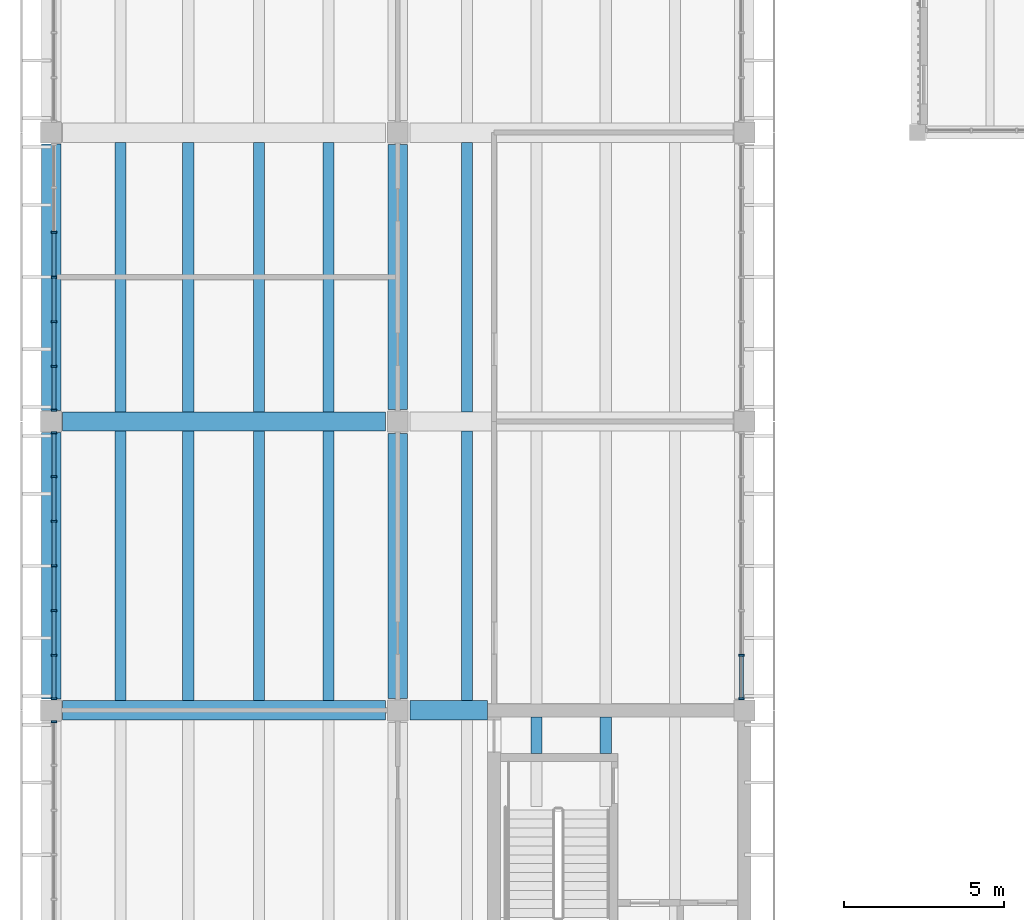
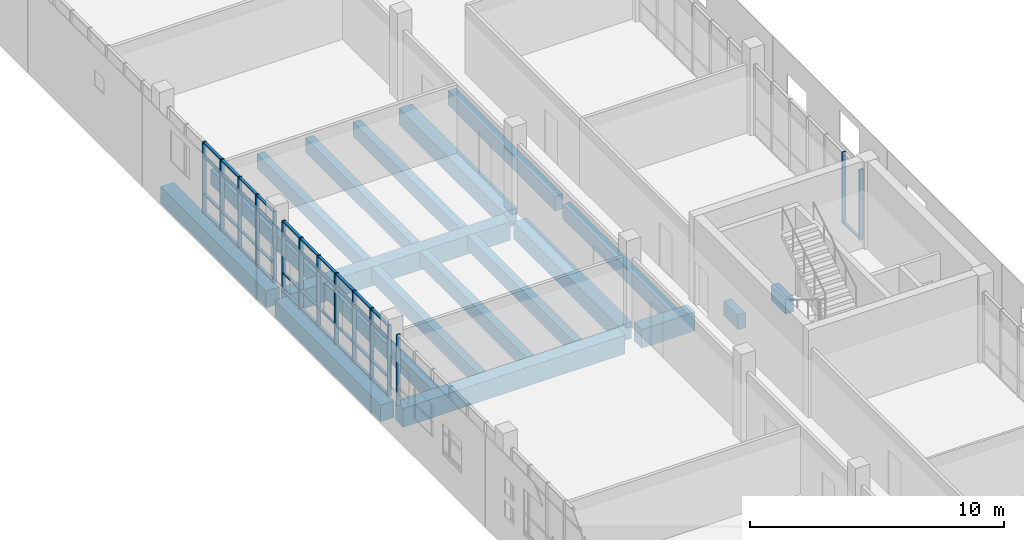
# One storey, part 18 of 92: 56 members, 19 beams, 4 elements without a shape of their own.
"""IFC4 building model written with IfcOpenShell, lengths in metres."""

from ifc_helpers import new_model, si_unit, direction, frame, origin, origin_2d, place, context, subcontext, project, spatial, rectangle, extrude, material, material_profile, profile_set, type_object, element, aggregate, save


model = new_model("IFC4")

# Units and contexts
model_context = context("Model", 3, precision=1e-05, world=origin(), true_north=direction((0.0, 1.0)))
body_context = subcontext(model_context, "Body", "Model", "MODEL_VIEW")
ifc_project = project(units=[si_unit("LENGTHUNIT", "METRE"), si_unit("AREAUNIT", "SQUARE_METRE"), si_unit("VOLUMEUNIT", "CUBIC_METRE"), si_unit("PLANEANGLEUNIT", "RADIAN"), si_unit("MASSUNIT", "GRAM", prefix="KILO")], contexts=[model_context])

# Site, building, storey
site_placement = place(None, origin())
site = spatial("IfcSite", under=ifc_project, at=site_placement, CompositionType="ELEMENT")
building_placement = place(site_placement, origin())
building = spatial("IfcBuilding", under=site, at=building_placement, Name="Merrow Basin Faculty of Sciences", CompositionType="ELEMENT")
storey_placement = place(building_placement, frame((0.0, 0.0, 4.5)))
storey = spatial("IfcBuildingStorey", under=building, at=storey_placement, Name="L01", CompositionType="ELEMENT", Elevation=4.5)

# Curtain wall, member
ifc_material_1 = material(Name="Aluminium alloy 6063", Category="aluminium")
curtain_wall_type = type_object("IfcCurtainWallType", Name="Bar unitised curtain wall 180", PredefinedType="NOTDEFINED", material=ifc_material_1)
curtain_wall_1_placement = place(storey_placement, origin())
curtain_wall_1 = element("IfcCurtainWall", 1, at=curtain_wall_1_placement, inside=storey, type_object=curtain_wall_type, Name="West curtain wall L01 3", PredefinedType="NOTDEFINED")
ifc_material_2 = material(Name="Aluminium alloy 6063", Category="aluminium")
ifc_material_profile_1 = material_profile(ifc_material_2, rectangle(XDim=0.179931640625, YDim=0.06005859375, at=origin_2d()))
ifc_profile_set_1 = profile_set([ifc_material_profile_1], Name="Aluminium alloy 6063")
member_type_1 = type_object("IfcMemberType", Name="Aluminium mullion 60x180", PredefinedType="MULLION", material=ifc_profile_set_1)
member_1_placement = place(storey_placement, frame((0.090087890625, 96.64501953125, 0.0), z_axis=(0.0, 0.0, 1.0), x_axis=(-1.0, 0.0, 0.0)))
member_1 = element("IfcMember", 2, at=member_1_placement, type_object=member_type_1, Name="CW1 mullion 7", PredefinedType="MULLION", context=body_context, shape_type="SweptSolid", body=[
    extrude(rectangle(XDim=0.179931640625, YDim=0.06005859375, at=origin_2d()), origin(), (0.0, 0.0, 1.0), 3.39990234375),
])
aggregate(curtain_wall_1, [member_1])

# Curtain wall, members
curtain_wall_2_placement = place(storey_placement, origin())
curtain_wall_2 = element("IfcCurtainWall", 3, at=curtain_wall_2_placement, inside=storey, type_object=curtain_wall_type, Name="West curtain wall L01 4", PredefinedType="NOTDEFINED")
member_2_placement = place(storey_placement, frame((0.090087890625, 97.35498046875, 0.0), z_axis=(0.0, 0.0, 1.0), x_axis=(-1.0, 0.0, 0.0)))
member_2 = element("IfcMember", 4, at=member_2_placement, type_object=member_type_1, Name="CW1 mullion 1", PredefinedType="MULLION", context=body_context, shape_type="SweptSolid", body=[
    extrude(rectangle(XDim=0.179931640625, YDim=0.06005859375, at=origin_2d()), origin(), (0.0, 0.0, 1.0), 3.39990234375),
])
member_3_placement = place(storey_placement, frame((0.090087890625, 98.716552734375, 0.0), z_axis=(0.0, 0.0, 1.0), x_axis=(-1.0, 0.0, 0.0)))
member_3 = element("IfcMember", 5, at=member_3_placement, type_object=member_type_1, Name="CW1 mullion 2", PredefinedType="MULLION", context=body_context, shape_type="SweptSolid", body=[
    extrude(rectangle(XDim=0.179931640625, YDim=0.06005859375, at=origin_2d()), origin(), (0.0, 0.0, 1.0), 3.39990234375),
])
member_4_placement = place(storey_placement, frame((0.090087890625, 100.1083984375, 0.0), z_axis=(0.0, 0.0, 1.0), x_axis=(-1.0, 0.0, 0.0)))
member_4 = element("IfcMember", 6, at=member_4_placement, type_object=member_type_1, Name="CW1 mullion 3", PredefinedType="MULLION", context=body_context, shape_type="SweptSolid", body=[
    extrude(rectangle(XDim=0.179931640625, YDim=0.06005859375, at=origin_2d()), origin(), (0.0, 0.0, 1.0), 3.39990234375),
])
member_5_placement = place(storey_placement, frame((0.090087890625, 101.5, 0.0), z_axis=(0.0, 0.0, 1.0), x_axis=(-1.0, 0.0, 0.0)))
member_5 = element("IfcMember", 7, at=member_5_placement, type_object=member_type_1, Name="CW1 mullion 4", PredefinedType="MULLION", context=body_context, shape_type="SweptSolid", body=[
    extrude(rectangle(XDim=0.179931640625, YDim=0.06005859375, at=origin_2d()), origin(), (0.0, 0.0, 1.0), 3.39990234375),
])
member_6_placement = place(storey_placement, frame((0.090087890625, 102.8916015625, 0.0), z_axis=(0.0, 0.0, 1.0), x_axis=(-1.0, 0.0, 0.0)))
member_6 = element("IfcMember", 8, at=member_6_placement, type_object=member_type_1, Name="CW1 mullion 5", PredefinedType="MULLION", context=body_context, shape_type="SweptSolid", body=[
    extrude(rectangle(XDim=0.179931640625, YDim=0.06005859375, at=origin_2d()), origin(), (0.0, 0.0, 1.0), 3.39990234375),
])
member_7_placement = place(storey_placement, frame((0.090087890625, 104.283447265625, 0.0), z_axis=(0.0, 0.0, 1.0), x_axis=(-1.0, 0.0, 0.0)))
member_7 = element("IfcMember", 9, at=member_7_placement, type_object=member_type_1, Name="CW1 mullion 6", PredefinedType="MULLION", context=body_context, shape_type="SweptSolid", body=[
    extrude(rectangle(XDim=0.179931640625, YDim=0.06005859375, at=origin_2d()), origin(), (0.0, 0.0, 1.0), 3.39990234375),
])
member_8_placement = place(storey_placement, frame((0.090087890625, 105.64501953125, 0.0), z_axis=(0.0, 0.0, 1.0), x_axis=(-1.0, 0.0, 0.0)))
member_8 = element("IfcMember", 10, at=member_8_placement, type_object=member_type_1, Name="CW1 mullion 7", PredefinedType="MULLION", context=body_context, shape_type="SweptSolid", body=[
    extrude(rectangle(XDim=0.179931640625, YDim=0.06005859375, at=origin_2d()), origin(), (0.0, 0.0, 1.0), 3.39990234375),
])

curtain_wall_3_placement = place(storey_placement, origin())
curtain_wall_3 = element("IfcCurtainWall", 11, at=curtain_wall_3_placement, inside=storey, type_object=curtain_wall_type, Name="West curtain wall L01 5", PredefinedType="NOTDEFINED")
member_9_placement = place(storey_placement, frame((0.090087890625, 106.35498046875, 0.0), z_axis=(0.0, 0.0, 1.0), x_axis=(-1.0, 0.0, 0.0)))
member_9 = element("IfcMember", 12, at=member_9_placement, type_object=member_type_1, Name="CW1 mullion 1", PredefinedType="MULLION", context=body_context, shape_type="SweptSolid", body=[
    extrude(rectangle(XDim=0.179931640625, YDim=0.06005859375, at=origin_2d()), origin(), (0.0, 0.0, 1.0), 3.39990234375),
])
member_10_placement = place(storey_placement, frame((0.090087890625, 107.716552734375, 0.0), z_axis=(0.0, 0.0, 1.0), x_axis=(-1.0, 0.0, 0.0)))
member_10 = element("IfcMember", 13, at=member_10_placement, type_object=member_type_1, Name="CW1 mullion 2", PredefinedType="MULLION", context=body_context, shape_type="SweptSolid", body=[
    extrude(rectangle(XDim=0.179931640625, YDim=0.06005859375, at=origin_2d()), origin(), (0.0, 0.0, 1.0), 3.39990234375),
])
member_11_placement = place(storey_placement, frame((0.090087890625, 109.1083984375, 0.0), z_axis=(0.0, 0.0, 1.0), x_axis=(-1.0, 0.0, 0.0)))
member_11 = element("IfcMember", 14, at=member_11_placement, type_object=member_type_1, Name="CW1 mullion 3", PredefinedType="MULLION", context=body_context, shape_type="SweptSolid", body=[
    extrude(rectangle(XDim=0.179931640625, YDim=0.06005859375, at=origin_2d()), origin(), (0.0, 0.0, 1.0), 3.39990234375),
])
member_12_placement = place(storey_placement, frame((0.090087890625, 110.5, 0.0), z_axis=(0.0, 0.0, 1.0), x_axis=(-1.0, 0.0, 0.0)))
member_12 = element("IfcMember", 15, at=member_12_placement, type_object=member_type_1, Name="CW1 mullion 4", PredefinedType="MULLION", context=body_context, shape_type="SweptSolid", body=[
    extrude(rectangle(XDim=0.179931640625, YDim=0.06005859375, at=origin_2d()), origin(), (0.0, 0.0, 1.0), 3.39990234375),
])
member_13_placement = place(storey_placement, frame((0.090087890625, 111.8916015625, 0.0), z_axis=(0.0, 0.0, 1.0), x_axis=(-1.0, 0.0, 0.0)))
member_13 = element("IfcMember", 16, at=member_13_placement, type_object=member_type_1, Name="CW1 mullion 5", PredefinedType="MULLION", context=body_context, shape_type="SweptSolid", body=[
    extrude(rectangle(XDim=0.179931640625, YDim=0.06005859375, at=origin_2d()), origin(), (0.0, 0.0, 1.0), 3.39990234375),
])

curtain_wall_4_placement = place(storey_placement, origin())
curtain_wall_4 = element("IfcCurtainWall", 17, at=curtain_wall_4_placement, inside=storey, type_object=curtain_wall_type, Name="East curtain wall L01 4", PredefinedType="NOTDEFINED")
member_14_placement = place(storey_placement, frame((21.510009765625, 97.35498046875, 0.0), z_axis=(0.0, 0.0, 1.0), x_axis=(-1.0, 0.0, 0.0)))
member_14 = element("IfcMember", 18, at=member_14_placement, type_object=member_type_1, Name="CW1 mullion 1", PredefinedType="MULLION", context=body_context, shape_type="SweptSolid", body=[
    extrude(rectangle(XDim=0.179931640625, YDim=0.06005859375, at=origin_2d()), origin(), (0.0, 0.0, 1.0), 3.39990234375),
])
member_15_placement = place(storey_placement, frame((21.510009765625, 98.716552734375, 0.0), z_axis=(0.0, 0.0, 1.0), x_axis=(-1.0, 0.0, 0.0)))
member_15 = element("IfcMember", 19, at=member_15_placement, type_object=member_type_1, Name="CW1 mullion 2", PredefinedType="MULLION", context=body_context, shape_type="SweptSolid", body=[
    extrude(rectangle(XDim=0.179931640625, YDim=0.06005859375, at=origin_2d()), origin(), (0.0, 0.0, 1.0), 3.39990234375),
])

# Member
ifc_material_3 = material(Name="Aluminium alloy 6063", Category="aluminium")
ifc_material_profile_2 = material_profile(ifc_material_3, rectangle(XDim=0.1201171875, YDim=0.06005859375, at=origin_2d()))
ifc_profile_set_2 = profile_set([ifc_material_profile_2], Name="Aluminium alloy 6063")
member_type_2 = type_object("IfcMemberType", Name="Aluminium transom 60x120", PredefinedType="USERDEFINED", material=ifc_profile_set_2)
member_16_placement = place(storey_placement, frame((0.090087890625, 97.385009765625, 0.030029296875), z_axis=(0.0, 1.0, 0.0), x_axis=(-1.0, 0.0, 0.0)))
member_16 = element("IfcMember", 20, at=member_16_placement, type_object=member_type_2, Name="CW1 transom 1.1", ObjectType="TRANSOM", PredefinedType="USERDEFINED", context=body_context, shape_type="SweptSolid", body=[
    extrude(rectangle(XDim=0.1201171875, YDim=0.06005859375, at=origin_2d()), origin(), (0.0, 0.0, 1.0), 1.3017578125),
])

member_17_placement = place(storey_placement, frame((0.090087890625, 97.385009765625, 0.89990234375), z_axis=(0.0, 1.0, 0.0), x_axis=(-1.0, 0.0, 0.0)))
member_17 = element("IfcMember", 21, at=member_17_placement, type_object=member_type_2, Name="CW1 transom 1.2", ObjectType="TRANSOM", PredefinedType="USERDEFINED", context=body_context, shape_type="SweptSolid", body=[
    extrude(rectangle(XDim=0.1201171875, YDim=0.06005859375, at=origin_2d()), origin(), (0.0, 0.0, 1.0), 1.3017578125),
])

member_18_placement = place(storey_placement, frame((0.090087890625, 97.385009765625, 2.699951171875), z_axis=(0.0, 1.0, 0.0), x_axis=(-1.0, 0.0, 0.0)))
member_18 = element("IfcMember", 22, at=member_18_placement, type_object=member_type_2, Name="CW1 transom 1.3", ObjectType="TRANSOM", PredefinedType="USERDEFINED", context=body_context, shape_type="SweptSolid", body=[
    extrude(rectangle(XDim=0.1201171875, YDim=0.06005859375, at=origin_2d()), origin(), (0.0, 0.0, 1.0), 1.3017578125),
])

member_19_placement = place(storey_placement, frame((0.090087890625, 97.385009765625, 3.3701171875), z_axis=(0.0, 1.0, 0.0), x_axis=(-1.0, 0.0, 0.0)))
member_19 = element("IfcMember", 23, at=member_19_placement, type_object=member_type_2, Name="CW1 transom 1.4", ObjectType="TRANSOM", PredefinedType="USERDEFINED", context=body_context, shape_type="SweptSolid", body=[
    extrude(rectangle(XDim=0.1201171875, YDim=0.06005859375, at=origin_2d()), origin(), (0.0, 0.0, 1.0), 1.3017578125),
])

member_20_placement = place(storey_placement, frame((0.090087890625, 98.74658203125, 0.030029296875), z_axis=(0.0, 1.0, 0.0), x_axis=(-1.0, 0.0, 0.0)))
member_20 = element("IfcMember", 24, at=member_20_placement, type_object=member_type_2, Name="CW1 transom 2.1", ObjectType="TRANSOM", PredefinedType="USERDEFINED", context=body_context, shape_type="SweptSolid", body=[
    extrude(rectangle(XDim=0.1201171875, YDim=0.06005859375, at=origin_2d()), origin(), (0.0, 0.0, 1.0), 1.331787109375),
])

member_21_placement = place(storey_placement, frame((0.090087890625, 98.74658203125, 0.89990234375), z_axis=(0.0, 1.0, 0.0), x_axis=(-1.0, 0.0, 0.0)))
member_21 = element("IfcMember", 25, at=member_21_placement, type_object=member_type_2, Name="CW1 transom 2.2", ObjectType="TRANSOM", PredefinedType="USERDEFINED", context=body_context, shape_type="SweptSolid", body=[
    extrude(rectangle(XDim=0.1201171875, YDim=0.06005859375, at=origin_2d()), origin(), (0.0, 0.0, 1.0), 1.331787109375),
])

member_22_placement = place(storey_placement, frame((0.090087890625, 98.74658203125, 2.699951171875), z_axis=(0.0, 1.0, 0.0), x_axis=(-1.0, 0.0, 0.0)))
member_22 = element("IfcMember", 26, at=member_22_placement, type_object=member_type_2, Name="CW1 transom 2.3", ObjectType="TRANSOM", PredefinedType="USERDEFINED", context=body_context, shape_type="SweptSolid", body=[
    extrude(rectangle(XDim=0.1201171875, YDim=0.06005859375, at=origin_2d()), origin(), (0.0, 0.0, 1.0), 1.331787109375),
])

member_23_placement = place(storey_placement, frame((0.090087890625, 98.74658203125, 3.3701171875), z_axis=(0.0, 1.0, 0.0), x_axis=(-1.0, 0.0, 0.0)))
member_23 = element("IfcMember", 27, at=member_23_placement, type_object=member_type_2, Name="CW1 transom 2.4", ObjectType="TRANSOM", PredefinedType="USERDEFINED", context=body_context, shape_type="SweptSolid", body=[
    extrude(rectangle(XDim=0.1201171875, YDim=0.06005859375, at=origin_2d()), origin(), (0.0, 0.0, 1.0), 1.331787109375),
])

member_24_placement = place(storey_placement, frame((0.090087890625, 100.138427734375, 0.030029296875), z_axis=(0.0, 1.0, 0.0), x_axis=(-1.0, 0.0, 0.0)))
member_24 = element("IfcMember", 28, at=member_24_placement, type_object=member_type_2, Name="CW1 transom 3.1", ObjectType="TRANSOM", PredefinedType="USERDEFINED", context=body_context, shape_type="SweptSolid", body=[
    extrude(rectangle(XDim=0.1201171875, YDim=0.06005859375, at=origin_2d()), origin(), (0.0, 0.0, 1.0), 1.33154296875),
])

member_25_placement = place(storey_placement, frame((0.090087890625, 100.138427734375, 0.89990234375), z_axis=(0.0, 1.0, 0.0), x_axis=(-1.0, 0.0, 0.0)))
member_25 = element("IfcMember", 29, at=member_25_placement, type_object=member_type_2, Name="CW1 transom 3.2", ObjectType="TRANSOM", PredefinedType="USERDEFINED", context=body_context, shape_type="SweptSolid", body=[
    extrude(rectangle(XDim=0.1201171875, YDim=0.06005859375, at=origin_2d()), origin(), (0.0, 0.0, 1.0), 1.33154296875),
])

member_26_placement = place(storey_placement, frame((0.090087890625, 100.138427734375, 2.699951171875), z_axis=(0.0, 1.0, 0.0), x_axis=(-1.0, 0.0, 0.0)))
member_26 = element("IfcMember", 30, at=member_26_placement, type_object=member_type_2, Name="CW1 transom 3.3", ObjectType="TRANSOM", PredefinedType="USERDEFINED", context=body_context, shape_type="SweptSolid", body=[
    extrude(rectangle(XDim=0.1201171875, YDim=0.06005859375, at=origin_2d()), origin(), (0.0, 0.0, 1.0), 1.33154296875),
])

member_27_placement = place(storey_placement, frame((0.090087890625, 100.138427734375, 3.3701171875), z_axis=(0.0, 1.0, 0.0), x_axis=(-1.0, 0.0, 0.0)))
member_27 = element("IfcMember", 31, at=member_27_placement, type_object=member_type_2, Name="CW1 transom 3.4", ObjectType="TRANSOM", PredefinedType="USERDEFINED", context=body_context, shape_type="SweptSolid", body=[
    extrude(rectangle(XDim=0.1201171875, YDim=0.06005859375, at=origin_2d()), origin(), (0.0, 0.0, 1.0), 1.33154296875),
])

member_28_placement = place(storey_placement, frame((0.090087890625, 101.530029296875, 0.030029296875), z_axis=(0.0, 1.0, 0.0), x_axis=(-1.0, 0.0, 0.0)))
member_28 = element("IfcMember", 32, at=member_28_placement, type_object=member_type_2, Name="CW1 transom 4.1", ObjectType="TRANSOM", PredefinedType="USERDEFINED", context=body_context, shape_type="SweptSolid", body=[
    extrude(rectangle(XDim=0.1201171875, YDim=0.06005859375, at=origin_2d()), origin(), (0.0, 0.0, 1.0), 1.33154296875),
])

member_29_placement = place(storey_placement, frame((0.090087890625, 101.530029296875, 0.89990234375), z_axis=(0.0, 1.0, 0.0), x_axis=(-1.0, 0.0, 0.0)))
member_29 = element("IfcMember", 33, at=member_29_placement, type_object=member_type_2, Name="CW1 transom 4.2", ObjectType="TRANSOM", PredefinedType="USERDEFINED", context=body_context, shape_type="SweptSolid", body=[
    extrude(rectangle(XDim=0.1201171875, YDim=0.06005859375, at=origin_2d()), origin(), (0.0, 0.0, 1.0), 1.33154296875),
])

member_30_placement = place(storey_placement, frame((0.090087890625, 101.530029296875, 2.699951171875), z_axis=(0.0, 1.0, 0.0), x_axis=(-1.0, 0.0, 0.0)))
member_30 = element("IfcMember", 34, at=member_30_placement, type_object=member_type_2, Name="CW1 transom 4.3", ObjectType="TRANSOM", PredefinedType="USERDEFINED", context=body_context, shape_type="SweptSolid", body=[
    extrude(rectangle(XDim=0.1201171875, YDim=0.06005859375, at=origin_2d()), origin(), (0.0, 0.0, 1.0), 1.33154296875),
])

member_31_placement = place(storey_placement, frame((0.090087890625, 101.530029296875, 3.3701171875), z_axis=(0.0, 1.0, 0.0), x_axis=(-1.0, 0.0, 0.0)))
member_31 = element("IfcMember", 35, at=member_31_placement, type_object=member_type_2, Name="CW1 transom 4.4", ObjectType="TRANSOM", PredefinedType="USERDEFINED", context=body_context, shape_type="SweptSolid", body=[
    extrude(rectangle(XDim=0.1201171875, YDim=0.06005859375, at=origin_2d()), origin(), (0.0, 0.0, 1.0), 1.33154296875),
])

member_32_placement = place(storey_placement, frame((0.090087890625, 102.921630859375, 0.030029296875), z_axis=(0.0, 1.0, 0.0), x_axis=(-1.0, 0.0, 0.0)))
member_32 = element("IfcMember", 36, at=member_32_placement, type_object=member_type_2, Name="CW1 transom 5.1", ObjectType="TRANSOM", PredefinedType="USERDEFINED", context=body_context, shape_type="SweptSolid", body=[
    extrude(rectangle(XDim=0.1201171875, YDim=0.06005859375, at=origin_2d()), origin(), (0.0, 0.0, 1.0), 1.331787109375),
])

member_33_placement = place(storey_placement, frame((0.090087890625, 102.921630859375, 0.89990234375), z_axis=(0.0, 1.0, 0.0), x_axis=(-1.0, 0.0, 0.0)))
member_33 = element("IfcMember", 37, at=member_33_placement, type_object=member_type_2, Name="CW1 transom 5.2", ObjectType="TRANSOM", PredefinedType="USERDEFINED", context=body_context, shape_type="SweptSolid", body=[
    extrude(rectangle(XDim=0.1201171875, YDim=0.06005859375, at=origin_2d()), origin(), (0.0, 0.0, 1.0), 1.331787109375),
])

member_34_placement = place(storey_placement, frame((0.090087890625, 102.921630859375, 2.699951171875), z_axis=(0.0, 1.0, 0.0), x_axis=(-1.0, 0.0, 0.0)))
member_34 = element("IfcMember", 38, at=member_34_placement, type_object=member_type_2, Name="CW1 transom 5.3", ObjectType="TRANSOM", PredefinedType="USERDEFINED", context=body_context, shape_type="SweptSolid", body=[
    extrude(rectangle(XDim=0.1201171875, YDim=0.06005859375, at=origin_2d()), origin(), (0.0, 0.0, 1.0), 1.331787109375),
])

member_35_placement = place(storey_placement, frame((0.090087890625, 102.921630859375, 3.3701171875), z_axis=(0.0, 1.0, 0.0), x_axis=(-1.0, 0.0, 0.0)))
member_35 = element("IfcMember", 39, at=member_35_placement, type_object=member_type_2, Name="CW1 transom 5.4", ObjectType="TRANSOM", PredefinedType="USERDEFINED", context=body_context, shape_type="SweptSolid", body=[
    extrude(rectangle(XDim=0.1201171875, YDim=0.06005859375, at=origin_2d()), origin(), (0.0, 0.0, 1.0), 1.331787109375),
])

member_36_placement = place(storey_placement, frame((0.090087890625, 104.313232421875, 0.030029296875), z_axis=(0.0, 1.0, 0.0), x_axis=(-1.0, 0.0, 0.0)))
member_36 = element("IfcMember", 40, at=member_36_placement, type_object=member_type_2, Name="CW1 transom 6.1", ObjectType="TRANSOM", PredefinedType="USERDEFINED", context=body_context, shape_type="SweptSolid", body=[
    extrude(rectangle(XDim=0.1201171875, YDim=0.06005859375, at=origin_2d()), origin(), (0.0, 0.0, 1.0), 1.3017578125),
])

member_37_placement = place(storey_placement, frame((0.090087890625, 104.313232421875, 0.89990234375), z_axis=(0.0, 1.0, 0.0), x_axis=(-1.0, 0.0, 0.0)))
member_37 = element("IfcMember", 41, at=member_37_placement, type_object=member_type_2, Name="CW1 transom 6.2", ObjectType="TRANSOM", PredefinedType="USERDEFINED", context=body_context, shape_type="SweptSolid", body=[
    extrude(rectangle(XDim=0.1201171875, YDim=0.06005859375, at=origin_2d()), origin(), (0.0, 0.0, 1.0), 1.3017578125),
])

member_38_placement = place(storey_placement, frame((0.090087890625, 104.313232421875, 2.699951171875), z_axis=(0.0, 1.0, 0.0), x_axis=(-1.0, 0.0, 0.0)))
member_38 = element("IfcMember", 42, at=member_38_placement, type_object=member_type_2, Name="CW1 transom 6.3", ObjectType="TRANSOM", PredefinedType="USERDEFINED", context=body_context, shape_type="SweptSolid", body=[
    extrude(rectangle(XDim=0.1201171875, YDim=0.06005859375, at=origin_2d()), origin(), (0.0, 0.0, 1.0), 1.3017578125),
])

member_39_placement = place(storey_placement, frame((0.090087890625, 104.313232421875, 3.3701171875), z_axis=(0.0, 1.0, 0.0), x_axis=(-1.0, 0.0, 0.0)))
member_39 = element("IfcMember", 43, at=member_39_placement, type_object=member_type_2, Name="CW1 transom 6.4", ObjectType="TRANSOM", PredefinedType="USERDEFINED", context=body_context, shape_type="SweptSolid", body=[
    extrude(rectangle(XDim=0.1201171875, YDim=0.06005859375, at=origin_2d()), origin(), (0.0, 0.0, 1.0), 1.3017578125),
])

aggregate(curtain_wall_2, [member_2, member_3, member_4, member_5, member_6, member_7, member_8, member_16, member_17, member_18, member_19, member_20, member_21, member_22, member_23, member_24, member_25, member_26, member_27, member_28, member_29, member_30, member_31, member_32, member_33, member_34, member_35, member_36, member_37, member_38, member_39])

member_40_placement = place(storey_placement, frame((0.090087890625, 106.385009765625, 0.030029296875), z_axis=(0.0, 1.0, 0.0), x_axis=(-1.0, 0.0, 0.0)))
member_40 = element("IfcMember", 44, at=member_40_placement, type_object=member_type_2, Name="CW1 transom 1.1", ObjectType="TRANSOM", PredefinedType="USERDEFINED", context=body_context, shape_type="SweptSolid", body=[
    extrude(rectangle(XDim=0.1201171875, YDim=0.06005859375, at=origin_2d()), origin(), (0.0, 0.0, 1.0), 1.3017578125),
])

member_41_placement = place(storey_placement, frame((0.090087890625, 106.385009765625, 0.89990234375), z_axis=(0.0, 1.0, 0.0), x_axis=(-1.0, 0.0, 0.0)))
member_41 = element("IfcMember", 45, at=member_41_placement, type_object=member_type_2, Name="CW1 transom 1.2", ObjectType="TRANSOM", PredefinedType="USERDEFINED", context=body_context, shape_type="SweptSolid", body=[
    extrude(rectangle(XDim=0.1201171875, YDim=0.06005859375, at=origin_2d()), origin(), (0.0, 0.0, 1.0), 1.3017578125),
])

member_42_placement = place(storey_placement, frame((0.090087890625, 106.385009765625, 2.699951171875), z_axis=(0.0, 1.0, 0.0), x_axis=(-1.0, 0.0, 0.0)))
member_42 = element("IfcMember", 46, at=member_42_placement, type_object=member_type_2, Name="CW1 transom 1.3", ObjectType="TRANSOM", PredefinedType="USERDEFINED", context=body_context, shape_type="SweptSolid", body=[
    extrude(rectangle(XDim=0.1201171875, YDim=0.06005859375, at=origin_2d()), origin(), (0.0, 0.0, 1.0), 1.3017578125),
])

member_43_placement = place(storey_placement, frame((0.090087890625, 106.385009765625, 3.3701171875), z_axis=(0.0, 1.0, 0.0), x_axis=(-1.0, 0.0, 0.0)))
member_43 = element("IfcMember", 47, at=member_43_placement, type_object=member_type_2, Name="CW1 transom 1.4", ObjectType="TRANSOM", PredefinedType="USERDEFINED", context=body_context, shape_type="SweptSolid", body=[
    extrude(rectangle(XDim=0.1201171875, YDim=0.06005859375, at=origin_2d()), origin(), (0.0, 0.0, 1.0), 1.3017578125),
])

member_44_placement = place(storey_placement, frame((0.090087890625, 107.74658203125, 0.030029296875), z_axis=(0.0, 1.0, 0.0), x_axis=(-1.0, 0.0, 0.0)))
member_44 = element("IfcMember", 48, at=member_44_placement, type_object=member_type_2, Name="CW1 transom 2.1", ObjectType="TRANSOM", PredefinedType="USERDEFINED", context=body_context, shape_type="SweptSolid", body=[
    extrude(rectangle(XDim=0.1201171875, YDim=0.06005859375, at=origin_2d()), origin(), (0.0, 0.0, 1.0), 1.331787109375),
])

member_45_placement = place(storey_placement, frame((0.090087890625, 107.74658203125, 0.89990234375), z_axis=(0.0, 1.0, 0.0), x_axis=(-1.0, 0.0, 0.0)))
member_45 = element("IfcMember", 49, at=member_45_placement, type_object=member_type_2, Name="CW1 transom 2.2", ObjectType="TRANSOM", PredefinedType="USERDEFINED", context=body_context, shape_type="SweptSolid", body=[
    extrude(rectangle(XDim=0.1201171875, YDim=0.06005859375, at=origin_2d()), origin(), (0.0, 0.0, 1.0), 1.331787109375),
])

member_46_placement = place(storey_placement, frame((0.090087890625, 107.74658203125, 2.699951171875), z_axis=(0.0, 1.0, 0.0), x_axis=(-1.0, 0.0, 0.0)))
member_46 = element("IfcMember", 50, at=member_46_placement, type_object=member_type_2, Name="CW1 transom 2.3", ObjectType="TRANSOM", PredefinedType="USERDEFINED", context=body_context, shape_type="SweptSolid", body=[
    extrude(rectangle(XDim=0.1201171875, YDim=0.06005859375, at=origin_2d()), origin(), (0.0, 0.0, 1.0), 1.331787109375),
])

member_47_placement = place(storey_placement, frame((0.090087890625, 107.74658203125, 3.3701171875), z_axis=(0.0, 1.0, 0.0), x_axis=(-1.0, 0.0, 0.0)))
member_47 = element("IfcMember", 51, at=member_47_placement, type_object=member_type_2, Name="CW1 transom 2.4", ObjectType="TRANSOM", PredefinedType="USERDEFINED", context=body_context, shape_type="SweptSolid", body=[
    extrude(rectangle(XDim=0.1201171875, YDim=0.06005859375, at=origin_2d()), origin(), (0.0, 0.0, 1.0), 1.331787109375),
])

member_48_placement = place(storey_placement, frame((0.090087890625, 109.138427734375, 0.030029296875), z_axis=(0.0, 1.0, 0.0), x_axis=(-1.0, 0.0, 0.0)))
member_48 = element("IfcMember", 52, at=member_48_placement, type_object=member_type_2, Name="CW1 transom 3.1", ObjectType="TRANSOM", PredefinedType="USERDEFINED", context=body_context, shape_type="SweptSolid", body=[
    extrude(rectangle(XDim=0.1201171875, YDim=0.06005859375, at=origin_2d()), origin(), (0.0, 0.0, 1.0), 1.33154296875),
])

member_49_placement = place(storey_placement, frame((0.090087890625, 109.138427734375, 0.89990234375), z_axis=(0.0, 1.0, 0.0), x_axis=(-1.0, 0.0, 0.0)))
member_49 = element("IfcMember", 53, at=member_49_placement, type_object=member_type_2, Name="CW1 transom 3.2", ObjectType="TRANSOM", PredefinedType="USERDEFINED", context=body_context, shape_type="SweptSolid", body=[
    extrude(rectangle(XDim=0.1201171875, YDim=0.06005859375, at=origin_2d()), origin(), (0.0, 0.0, 1.0), 1.33154296875),
])

member_50_placement = place(storey_placement, frame((0.090087890625, 109.138427734375, 2.699951171875), z_axis=(0.0, 1.0, 0.0), x_axis=(-1.0, 0.0, 0.0)))
member_50 = element("IfcMember", 54, at=member_50_placement, type_object=member_type_2, Name="CW1 transom 3.3", ObjectType="TRANSOM", PredefinedType="USERDEFINED", context=body_context, shape_type="SweptSolid", body=[
    extrude(rectangle(XDim=0.1201171875, YDim=0.06005859375, at=origin_2d()), origin(), (0.0, 0.0, 1.0), 1.33154296875),
])

member_51_placement = place(storey_placement, frame((0.090087890625, 109.138427734375, 3.3701171875), z_axis=(0.0, 1.0, 0.0), x_axis=(-1.0, 0.0, 0.0)))
member_51 = element("IfcMember", 55, at=member_51_placement, type_object=member_type_2, Name="CW1 transom 3.4", ObjectType="TRANSOM", PredefinedType="USERDEFINED", context=body_context, shape_type="SweptSolid", body=[
    extrude(rectangle(XDim=0.1201171875, YDim=0.06005859375, at=origin_2d()), origin(), (0.0, 0.0, 1.0), 1.33154296875),
])

member_52_placement = place(storey_placement, frame((0.090087890625, 110.530029296875, 0.030029296875), z_axis=(0.0, 1.0, 0.0), x_axis=(-1.0, 0.0, 0.0)))
member_52 = element("IfcMember", 56, at=member_52_placement, type_object=member_type_2, Name="CW1 transom 4.1", ObjectType="TRANSOM", PredefinedType="USERDEFINED", context=body_context, shape_type="SweptSolid", body=[
    extrude(rectangle(XDim=0.1201171875, YDim=0.06005859375, at=origin_2d()), origin(), (0.0, 0.0, 1.0), 1.33154296875),
])

member_53_placement = place(storey_placement, frame((0.090087890625, 110.530029296875, 0.89990234375), z_axis=(0.0, 1.0, 0.0), x_axis=(-1.0, 0.0, 0.0)))
member_53 = element("IfcMember", 57, at=member_53_placement, type_object=member_type_2, Name="CW1 transom 4.2", ObjectType="TRANSOM", PredefinedType="USERDEFINED", context=body_context, shape_type="SweptSolid", body=[
    extrude(rectangle(XDim=0.1201171875, YDim=0.06005859375, at=origin_2d()), origin(), (0.0, 0.0, 1.0), 1.33154296875),
])

member_54_placement = place(storey_placement, frame((0.090087890625, 110.530029296875, 2.699951171875), z_axis=(0.0, 1.0, 0.0), x_axis=(-1.0, 0.0, 0.0)))
member_54 = element("IfcMember", 58, at=member_54_placement, type_object=member_type_2, Name="CW1 transom 4.3", ObjectType="TRANSOM", PredefinedType="USERDEFINED", context=body_context, shape_type="SweptSolid", body=[
    extrude(rectangle(XDim=0.1201171875, YDim=0.06005859375, at=origin_2d()), origin(), (0.0, 0.0, 1.0), 1.33154296875),
])

member_55_placement = place(storey_placement, frame((0.090087890625, 110.530029296875, 3.3701171875), z_axis=(0.0, 1.0, 0.0), x_axis=(-1.0, 0.0, 0.0)))
member_55 = element("IfcMember", 59, at=member_55_placement, type_object=member_type_2, Name="CW1 transom 4.4", ObjectType="TRANSOM", PredefinedType="USERDEFINED", context=body_context, shape_type="SweptSolid", body=[
    extrude(rectangle(XDim=0.1201171875, YDim=0.06005859375, at=origin_2d()), origin(), (0.0, 0.0, 1.0), 1.33154296875),
])

aggregate(curtain_wall_3, [member_9, member_10, member_11, member_12, member_13, member_40, member_41, member_42, member_43, member_44, member_45, member_46, member_47, member_48, member_49, member_50, member_51, member_52, member_53, member_54, member_55])

member_56_placement = place(storey_placement, frame((21.510009765625, 97.385009765625, 0.030029296875), z_axis=(0.0, 1.0, 0.0), x_axis=(-1.0, 0.0, 0.0)))
member_56 = element("IfcMember", 60, at=member_56_placement, type_object=member_type_2, Name="CW1 transom 1.1", ObjectType="TRANSOM", PredefinedType="USERDEFINED", context=body_context, shape_type="SweptSolid", body=[
    extrude(rectangle(XDim=0.1201171875, YDim=0.06005859375, at=origin_2d()), origin(), (0.0, 0.0, 1.0), 1.3017578125),
])

aggregate(curtain_wall_4, [member_14, member_15, member_56])

# Beams
ifc_material_4 = material(Name="Concrete C40/50", Category="concrete")
ifc_material_profile_3 = material_profile(ifc_material_4, rectangle(XDim=0.60009765625, YDim=0.800048828125, at=origin_2d()))
ifc_profile_set_3 = profile_set([ifc_material_profile_3], Name="Concrete C40/50")
beam_type_1 = type_object("IfcBeamType", Name="Beam RC600x800 C40/50", PredefinedType="BEAM", material=ifc_profile_set_3)
for number, where, z_axis, x_axis, name in (
    (61, (0.0, 97.35009765625, -0.699951171875), (0.0, 1.0, 0.0), (-1.0, 0.0, 0.0), "B2 L01 018"),
    (62, (0.0, 106.35009765625, -0.699951171875), (0.0, 1.0, 0.0), (-1.0, 0.0, 0.0), "B2 L01 019"),
):
    element("IfcBeam", number, at=place(storey_placement, frame(where, z_axis=z_axis, x_axis=x_axis)), inside=storey, type_object=beam_type_1, Name=name, PredefinedType="BEAM", context=body_context, shape_type="SweptSolid", body=[
        extrude(rectangle(XDim=0.60009765625, YDim=0.800048828125, at=origin_2d()), origin(), (0.0, 0.0, 1.0), 8.2998046875),
    ])
for number, where, z_axis, x_axis, name in (
    (63, (10.800048828125, 97.375, -0.699951171875), (0.0, 1.0, 0.0), (-1.0, 0.0, 0.0), "B2 L01 025"),
    (64, (10.800048828125, 106.375, -0.699951171875), (0.0, 1.0, 0.0), (-1.0, 0.0, 0.0), "B2 L01 026"),
):
    element("IfcBeam", number, at=place(storey_placement, frame(where, z_axis=z_axis, x_axis=x_axis)), inside=storey, type_object=beam_type_1, Name=name, PredefinedType="BEAM", context=body_context, shape_type="SweptSolid", body=[
        extrude(rectangle(XDim=0.60009765625, YDim=0.800048828125, at=origin_2d()), origin(), (0.0, 0.0, 1.0), 8.25),
    ])
ifc_material_5 = material(Name="Concrete C40/50", Category="concrete")
ifc_material_profile_4 = material_profile(ifc_material_5, rectangle(XDim=0.60009765625, YDim=0.89990234375, at=origin_2d()))
ifc_profile_set_4 = profile_set([ifc_material_profile_4], Name="Concrete C40/50")
beam_type_2 = type_object("IfcBeamType", Name="Beam RC600x900 C40/50", PredefinedType="BEAM", material=ifc_profile_set_4)
beam_1_placement = place(storey_placement, frame((0.35009765625, 97.0, -0.75), z_axis=(1.0, 0.0, 0.0), x_axis=(0.0, 1.0, 0.0)))
element("IfcBeam", 65, at=beam_1_placement, inside=storey, type_object=beam_type_2, Name="B1 L01 007", PredefinedType="BEAM", context=body_context, shape_type="SweptSolid", body=[
    extrude(rectangle(XDim=0.60009765625, YDim=0.89990234375, at=origin_2d()), origin(), (0.0, 0.0, 1.0), 10.074951171875),
])
beam_2_placement = place(storey_placement, frame((11.175048828125, 97.0, -0.75), z_axis=(1.0, 0.0, 0.0), x_axis=(0.0, 1.0, 0.0)))
element("IfcBeam", 66, at=beam_2_placement, inside=storey, type_object=beam_type_2, Name="B1 L01 008", PredefinedType="BEAM", context=body_context, shape_type="SweptSolid", body=[
    extrude(rectangle(XDim=0.60009765625, YDim=0.89990234375, at=origin_2d()), origin(), (0.0, 0.0, 1.0), 2.425048828125),
])
beam_3_placement = place(storey_placement, frame((0.35009765625, 106.0, -0.75), z_axis=(1.0, 0.0, 0.0), x_axis=(0.0, 1.0, 0.0)))
element("IfcBeam", 67, at=beam_3_placement, inside=storey, type_object=beam_type_2, Name="B1 L01 009", PredefinedType="BEAM", context=body_context, shape_type="SweptSolid", body=[
    extrude(rectangle(XDim=0.60009765625, YDim=0.89990234375, at=origin_2d()), origin(), (0.0, 0.0, 1.0), 10.074951171875),
])
ifc_material_6 = material(Name="Concrete C40/50", Category="concrete")
ifc_material_profile_5 = material_profile(ifc_material_6, rectangle(XDim=0.35009765625, YDim=0.699951171875, at=origin_2d()))
ifc_profile_set_5 = profile_set([ifc_material_profile_5], Name="Concrete C40/50")
beam_type_3 = type_object("IfcBeamType", Name="Laboratory plant-floor joist RC350x700 C40/50", PredefinedType="BEAM", material=ifc_profile_set_5)
for number, where, z_axis, x_axis, name in (
    (68, (2.159912109375, 97.300048828125, -0.64990234375), (0.0, 1.0, 0.0), (-1.0, 0.0, 0.0), "JP1 L01 051"),
    (69, (4.27490234375, 97.300048828125, -0.64990234375), (0.0, 1.0, 0.0), (-1.0, 0.0, 0.0), "JP1 L01 052"),
    (70, (6.47998046875, 97.300048828125, -0.64990234375), (0.0, 1.0, 0.0), (-1.0, 0.0, 0.0), "JP1 L01 053"),
    (71, (8.639892578125, 97.300048828125, -0.64990234375), (0.0, 1.0, 0.0), (-1.0, 0.0, 0.0), "JP1 L01 054"),
    (72, (2.159912109375, 106.300048828125, -0.64990234375), (0.0, 1.0, 0.0), (-1.0, 0.0, 0.0), "JP1 L01 055"),
    (73, (4.27490234375, 106.300048828125, -0.64990234375), (0.0, 1.0, 0.0), (-1.0, 0.0, 0.0), "JP1 L01 056"),
    (74, (6.47998046875, 106.300048828125, -0.64990234375), (0.0, 1.0, 0.0), (-1.0, 0.0, 0.0), "JP1 L01 057"),
    (75, (8.639892578125, 106.300048828125, -0.64990234375), (0.0, 1.0, 0.0), (-1.0, 0.0, 0.0), "JP1 L01 058"),
):
    element("IfcBeam", number, at=place(storey_placement, frame(where, z_axis=z_axis, x_axis=x_axis)), inside=storey, type_object=beam_type_3, Name=name, PredefinedType="BEAM", context=body_context, shape_type="SweptSolid", body=[
        extrude(rectangle(XDim=0.35009765625, YDim=0.699951171875, at=origin_2d()), origin(), (0.0, 0.0, 1.0), 8.39990234375),
    ])
for number, where, z_axis, x_axis, name in (
    (76, (15.1201171875, 95.64990234375, -0.64990234375), (0.0, 1.0, 0.0), (-1.0, 0.0, 0.0), "JP1 L01 081"),
    (77, (17.280029296875, 95.64990234375, -0.64990234375), (0.0, 1.0, 0.0), (-1.0, 0.0, 0.0), "JP1 L01 083"),
):
    element("IfcBeam", number, at=place(storey_placement, frame(where, z_axis=z_axis, x_axis=x_axis)), inside=storey, type_object=beam_type_3, Name=name, PredefinedType="BEAM", context=body_context, shape_type="SweptSolid", body=[
        extrude(rectangle(XDim=0.35009765625, YDim=0.699951171875, at=origin_2d()), origin(), (0.0, 0.0, 1.0), 1.150146484375),
    ])
for number, where, z_axis, x_axis, name in (
    (78, (12.9599609375, 97.300048828125, -0.64990234375), (0.0, 1.0, 0.0), (-1.0, 0.0, 0.0), "JP1 L01 085"),
    (79, (12.9599609375, 106.300048828125, -0.64990234375), (0.0, 1.0, 0.0), (-1.0, 0.0, 0.0), "JP1 L01 089"),
):
    element("IfcBeam", number, at=place(storey_placement, frame(where, z_axis=z_axis, x_axis=x_axis)), inside=storey, type_object=beam_type_3, Name=name, PredefinedType="BEAM", context=body_context, shape_type="SweptSolid", body=[
        extrude(rectangle(XDim=0.35009765625, YDim=0.699951171875, at=origin_2d()), origin(), (0.0, 0.0, 1.0), 8.39990234375),
    ])

save(model, "model.ifc")
